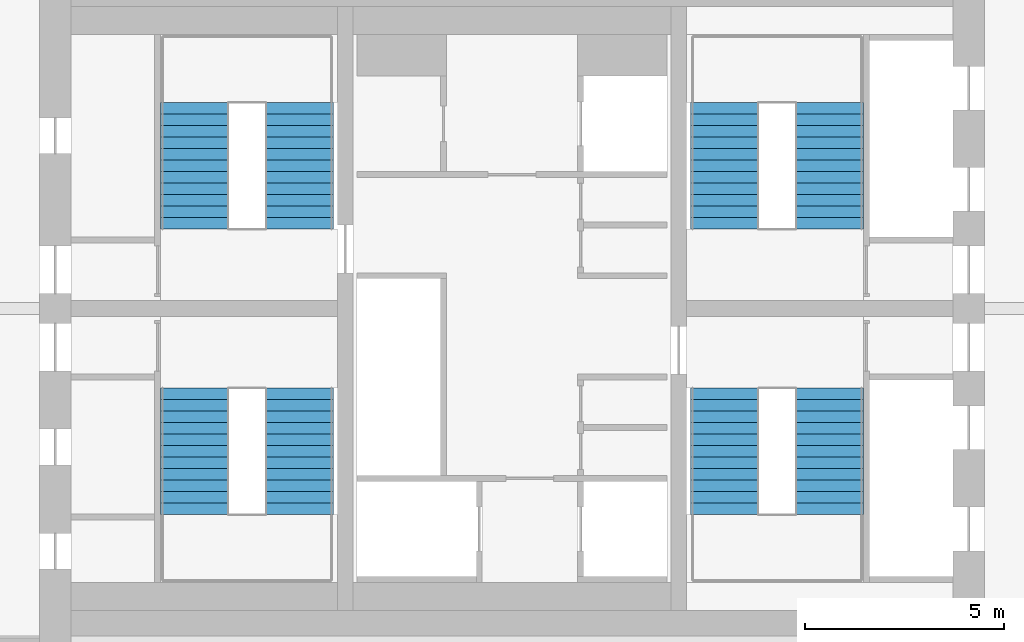
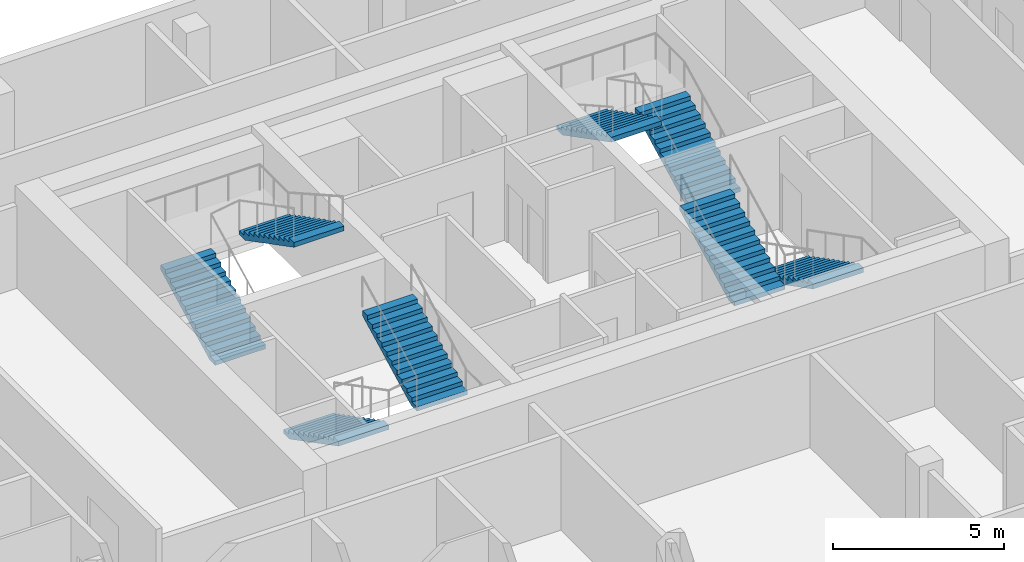
# One storey, part 21 of 22: 8 stair flights, 4 elements without a shape of their own.
"""IFC4 building model written with IfcOpenShell, lengths in metres."""

from ifc_helpers import new_model, si_unit, direction, frame, origin, place, context, subcontext, project, spatial, polyline, outline, extrude, material, type_object, element, aggregate, save


model = new_model("IFC4")

# Units and contexts
model_context = context("Model", 3, precision=1e-05, world=origin(), true_north=direction((0.0, 1.0)))
body_context = subcontext(model_context, "Body", "Model", "MODEL_VIEW")
ifc_project = project(units=[si_unit("LENGTHUNIT", "METRE"), si_unit("AREAUNIT", "SQUARE_METRE"), si_unit("VOLUMEUNIT", "CUBIC_METRE"), si_unit("PLANEANGLEUNIT", "RADIAN"), si_unit("MASSUNIT", "GRAM", prefix="KILO")], contexts=[model_context])

# Site, building, storey
site_placement = place(None, origin())
site = spatial("IfcSite", under=ifc_project, at=site_placement, CompositionType="ELEMENT")
building_placement = place(site_placement, origin())
building = spatial("IfcBuilding", under=site, at=building_placement, Name="Marenta Gate Hotel Tower", CompositionType="ELEMENT")
storey_placement = place(building_placement, frame((0.0, 0.0, 238.10009765625)))
storey = spatial("IfcBuildingStorey", under=building, at=storey_placement, Name="L56", CompositionType="ELEMENT", Elevation=238.10009765625)

# Stair, stair flights
ifc_material_1 = material(Name="Concrete C40", Category="concrete")
stair_type = type_object("IfcStairType", Name="Core exit stair 1700 wide", PredefinedType="HALF_TURN_STAIR", material=ifc_material_1)
stair_1_placement = place(storey_placement, origin())
stair_1 = element("IfcStair", 1, at=stair_1_placement, inside=storey, type_object=stair_type, Name="Exit stair 1", PredefinedType="HALF_TURN_STAIR")
ifc_material_2 = material(Name="Concrete C40", Category="concrete")
stair_flight_type = type_object("IfcStairFlightType", Name="Core stair flight 1700 riser 150.0 going 290", PredefinedType="STRAIGHT", material=ifc_material_2)
stair_flight_1_placement = place(storey_placement, frame((-8.0, 6.39990234375, 0.0), z_axis=(0.0, 0.0, 1.0), x_axis=(0.0, -1.0, 0.0)))
stair_flight_1 = element("IfcStairFlight", 2, at=stair_flight_1_placement, type_object=stair_flight_type, Name="ST1 flight 1", NumberOfRisers=12, NumberOfTreads=11, PredefinedType="STRAIGHT", RiserHeight=0.15, TreadLength=0.29, context=body_context, shape_type="SweptSolid", body=[
    extrude(outline(polyline([(0.0, 0.0), (0.0, 0.14990234375), (0.2900390625, 0.14990234375), (0.2900390625, 0.300048828125), (0.580078125, 0.300048828125), (0.580078125, 0.449951171875), (0.8701171875, 0.449951171875), (0.8701171875, 0.60009765625), (1.159912109375, 0.60009765625), (1.159912109375, 0.75), (1.449951171875, 0.75), (1.449951171875, 0.89990234375), (1.739990234375, 0.89990234375), (1.739990234375, 1.050048828125), (2.030029296875, 1.050048828125), (2.030029296875, 1.199951171875), (2.320068359375, 1.199951171875), (2.320068359375, 1.35009765625), (2.610107421875, 1.35009765625), (2.610107421875, 1.5), (2.89990234375, 1.5), (2.89990234375, 1.64990234375), (3.18994140625, 1.64990234375), (3.18994140625, 1.800048828125), (3.18994140625, 1.481201171875), (0.326171875, 0.0), (0.0, 0.0)])), frame((0.0, 0.85009765625, 0.0), z_axis=(0.0, -1.0, 0.0), x_axis=(1.0, 0.0, 0.0)), (0.0, 0.0, 1.0), 1.699951171875),
])
stair_flight_2_placement = place(storey_placement, frame((-5.35009765625, 3.2099609375, 1.7998046875), z_axis=(0.0, 0.0, 1.0), x_axis=(0.0, 1.0, 0.0)))
stair_flight_2 = element("IfcStairFlight", 3, at=stair_flight_2_placement, type_object=stair_flight_type, Name="ST1 flight 2", NumberOfRisers=12, NumberOfTreads=11, PredefinedType="STRAIGHT", RiserHeight=0.15, TreadLength=0.29, context=body_context, shape_type="SweptSolid", body=[
    extrude(outline(polyline([(0.0, 0.0), (0.0, 0.14990234375), (0.2900390625, 0.14990234375), (0.2900390625, 0.300048828125), (0.580078125, 0.300048828125), (0.580078125, 0.449951171875), (0.8701171875, 0.449951171875), (0.8701171875, 0.60009765625), (1.159912109375, 0.60009765625), (1.159912109375, 0.75), (1.449951171875, 0.75), (1.449951171875, 0.89990234375), (1.739990234375, 0.89990234375), (1.739990234375, 1.050048828125), (2.030029296875, 1.050048828125), (2.030029296875, 1.199951171875), (2.320068359375, 1.199951171875), (2.320068359375, 1.35009765625), (2.610107421875, 1.35009765625), (2.610107421875, 1.5), (2.89990234375, 1.5), (2.89990234375, 1.64990234375), (3.18994140625, 1.64990234375), (3.18994140625, 1.800048828125), (3.18994140625, 1.481201171875), (0.326171875, 0.0), (0.0, 0.0)])), frame((0.0, 0.85009765625, 0.0), z_axis=(0.0, -1.0, 0.0), x_axis=(1.0, 0.0, 0.0)), (0.0, 0.0, 1.0), 1.699951171875),
])
aggregate(stair_1, [stair_flight_1, stair_flight_2])

stair_2_placement = place(storey_placement, origin())
stair_2 = element("IfcStair", 4, at=stair_2_placement, inside=storey, type_object=stair_type, Name="Exit stair 2", PredefinedType="HALF_TURN_STAIR")
stair_flight_3_placement = place(storey_placement, frame((-8.0, 10.39990234375, 0.0), z_axis=(0.0, 0.0, 1.0), x_axis=(0.0, 1.0, 0.0)))
stair_flight_3 = element("IfcStairFlight", 5, at=stair_flight_3_placement, type_object=stair_flight_type, Name="ST2 flight 1", NumberOfRisers=12, NumberOfTreads=11, PredefinedType="STRAIGHT", RiserHeight=0.15, TreadLength=0.29, context=body_context, shape_type="SweptSolid", body=[
    extrude(outline(polyline([(0.0, 0.0), (0.0, 0.14990234375), (0.2900390625, 0.14990234375), (0.2900390625, 0.300048828125), (0.580078125, 0.300048828125), (0.580078125, 0.449951171875), (0.8701171875, 0.449951171875), (0.8701171875, 0.60009765625), (1.159912109375, 0.60009765625), (1.159912109375, 0.75), (1.449951171875, 0.75), (1.449951171875, 0.89990234375), (1.739990234375, 0.89990234375), (1.739990234375, 1.050048828125), (2.030029296875, 1.050048828125), (2.030029296875, 1.199951171875), (2.320068359375, 1.199951171875), (2.320068359375, 1.35009765625), (2.610107421875, 1.35009765625), (2.610107421875, 1.5), (2.89990234375, 1.5), (2.89990234375, 1.64990234375), (3.18994140625, 1.64990234375), (3.18994140625, 1.800048828125), (3.18994140625, 1.481201171875), (0.326171875, 0.0), (0.0, 0.0)])), frame((0.0, 0.85009765625, 0.0), z_axis=(0.0, -1.0, 0.0), x_axis=(1.0, 0.0, 0.0)), (0.0, 0.0, 1.0), 1.699951171875),
])
stair_flight_4_placement = place(storey_placement, frame((-5.35009765625, 13.590087890625, 1.7998046875), z_axis=(0.0, 0.0, 1.0), x_axis=(0.0, -1.0, 0.0)))
stair_flight_4 = element("IfcStairFlight", 6, at=stair_flight_4_placement, type_object=stair_flight_type, Name="ST2 flight 2", NumberOfRisers=12, NumberOfTreads=11, PredefinedType="STRAIGHT", RiserHeight=0.15, TreadLength=0.29, context=body_context, shape_type="SweptSolid", body=[
    extrude(outline(polyline([(0.0, 0.0), (0.0, 0.14990234375), (0.2900390625, 0.14990234375), (0.2900390625, 0.300048828125), (0.580078125, 0.300048828125), (0.580078125, 0.449951171875), (0.8701171875, 0.449951171875), (0.8701171875, 0.60009765625), (1.159912109375, 0.60009765625), (1.159912109375, 0.75), (1.449951171875, 0.75), (1.449951171875, 0.89990234375), (1.739990234375, 0.89990234375), (1.739990234375, 1.050048828125), (2.030029296875, 1.050048828125), (2.030029296875, 1.199951171875), (2.320068359375, 1.199951171875), (2.320068359375, 1.35009765625), (2.610107421875, 1.35009765625), (2.610107421875, 1.5), (2.89990234375, 1.5), (2.89990234375, 1.64990234375), (3.18994140625, 1.64990234375), (3.18994140625, 1.800048828125), (3.18994140625, 1.481201171875), (0.326171875, 0.0), (0.0, 0.0)])), frame((0.0, 0.85009765625, 0.0), z_axis=(0.0, -1.0, 0.0), x_axis=(1.0, 0.0, 0.0)), (0.0, 0.0, 1.0), 1.699951171875),
])
aggregate(stair_2, [stair_flight_3, stair_flight_4])

stair_3_placement = place(storey_placement, origin())
stair_3 = element("IfcStair", 7, at=stair_3_placement, inside=storey, type_object=stair_type, Name="Exit stair 3", PredefinedType="HALF_TURN_STAIR")
stair_flight_5_placement = place(storey_placement, frame((8.0, 6.39990234375, 0.0), z_axis=(0.0, 0.0, 1.0), x_axis=(0.0, -1.0, 0.0)))
stair_flight_5 = element("IfcStairFlight", 8, at=stair_flight_5_placement, type_object=stair_flight_type, Name="ST3 flight 1", NumberOfRisers=12, NumberOfTreads=11, PredefinedType="STRAIGHT", RiserHeight=0.15, TreadLength=0.29, context=body_context, shape_type="SweptSolid", body=[
    extrude(outline(polyline([(0.0, 0.0), (0.0, 0.14990234375), (0.2900390625, 0.14990234375), (0.2900390625, 0.300048828125), (0.580078125, 0.300048828125), (0.580078125, 0.449951171875), (0.8701171875, 0.449951171875), (0.8701171875, 0.60009765625), (1.159912109375, 0.60009765625), (1.159912109375, 0.75), (1.449951171875, 0.75), (1.449951171875, 0.89990234375), (1.739990234375, 0.89990234375), (1.739990234375, 1.050048828125), (2.030029296875, 1.050048828125), (2.030029296875, 1.199951171875), (2.320068359375, 1.199951171875), (2.320068359375, 1.35009765625), (2.610107421875, 1.35009765625), (2.610107421875, 1.5), (2.89990234375, 1.5), (2.89990234375, 1.64990234375), (3.18994140625, 1.64990234375), (3.18994140625, 1.800048828125), (3.18994140625, 1.481201171875), (0.326171875, 0.0), (0.0, 0.0)])), frame((0.0, 0.85009765625, 0.0), z_axis=(0.0, -1.0, 0.0), x_axis=(1.0, 0.0, 0.0)), (0.0, 0.0, 1.0), 1.699951171875),
])
stair_flight_6_placement = place(storey_placement, frame((5.35009765625, 3.2099609375, 1.7998046875), z_axis=(0.0, 0.0, 1.0), x_axis=(0.0, 1.0, 0.0)))
stair_flight_6 = element("IfcStairFlight", 9, at=stair_flight_6_placement, type_object=stair_flight_type, Name="ST3 flight 2", NumberOfRisers=12, NumberOfTreads=11, PredefinedType="STRAIGHT", RiserHeight=0.15, TreadLength=0.29, context=body_context, shape_type="SweptSolid", body=[
    extrude(outline(polyline([(0.0, 0.0), (0.0, 0.14990234375), (0.2900390625, 0.14990234375), (0.2900390625, 0.300048828125), (0.580078125, 0.300048828125), (0.580078125, 0.449951171875), (0.8701171875, 0.449951171875), (0.8701171875, 0.60009765625), (1.159912109375, 0.60009765625), (1.159912109375, 0.75), (1.449951171875, 0.75), (1.449951171875, 0.89990234375), (1.739990234375, 0.89990234375), (1.739990234375, 1.050048828125), (2.030029296875, 1.050048828125), (2.030029296875, 1.199951171875), (2.320068359375, 1.199951171875), (2.320068359375, 1.35009765625), (2.610107421875, 1.35009765625), (2.610107421875, 1.5), (2.89990234375, 1.5), (2.89990234375, 1.64990234375), (3.18994140625, 1.64990234375), (3.18994140625, 1.800048828125), (3.18994140625, 1.481201171875), (0.326171875, 0.0), (0.0, 0.0)])), frame((0.0, 0.85009765625, 0.0), z_axis=(0.0, -1.0, 0.0), x_axis=(1.0, 0.0, 0.0)), (0.0, 0.0, 1.0), 1.699951171875),
])
aggregate(stair_3, [stair_flight_5, stair_flight_6])

stair_4_placement = place(storey_placement, origin())
stair_4 = element("IfcStair", 10, at=stair_4_placement, inside=storey, type_object=stair_type, Name="Exit stair 4", PredefinedType="HALF_TURN_STAIR")
stair_flight_7_placement = place(storey_placement, frame((8.0, 10.39990234375, 0.0), z_axis=(0.0, 0.0, 1.0), x_axis=(0.0, 1.0, 0.0)))
stair_flight_7 = element("IfcStairFlight", 11, at=stair_flight_7_placement, type_object=stair_flight_type, Name="ST4 flight 1", NumberOfRisers=12, NumberOfTreads=11, PredefinedType="STRAIGHT", RiserHeight=0.15, TreadLength=0.29, context=body_context, shape_type="SweptSolid", body=[
    extrude(outline(polyline([(0.0, 0.0), (0.0, 0.14990234375), (0.2900390625, 0.14990234375), (0.2900390625, 0.300048828125), (0.580078125, 0.300048828125), (0.580078125, 0.449951171875), (0.8701171875, 0.449951171875), (0.8701171875, 0.60009765625), (1.159912109375, 0.60009765625), (1.159912109375, 0.75), (1.449951171875, 0.75), (1.449951171875, 0.89990234375), (1.739990234375, 0.89990234375), (1.739990234375, 1.050048828125), (2.030029296875, 1.050048828125), (2.030029296875, 1.199951171875), (2.320068359375, 1.199951171875), (2.320068359375, 1.35009765625), (2.610107421875, 1.35009765625), (2.610107421875, 1.5), (2.89990234375, 1.5), (2.89990234375, 1.64990234375), (3.18994140625, 1.64990234375), (3.18994140625, 1.800048828125), (3.18994140625, 1.481201171875), (0.326171875, 0.0), (0.0, 0.0)])), frame((0.0, 0.85009765625, 0.0), z_axis=(0.0, -1.0, 0.0), x_axis=(1.0, 0.0, 0.0)), (0.0, 0.0, 1.0), 1.699951171875),
])
stair_flight_8_placement = place(storey_placement, frame((5.35009765625, 13.590087890625, 1.7998046875), z_axis=(0.0, 0.0, 1.0), x_axis=(0.0, -1.0, 0.0)))
stair_flight_8 = element("IfcStairFlight", 12, at=stair_flight_8_placement, type_object=stair_flight_type, Name="ST4 flight 2", NumberOfRisers=12, NumberOfTreads=11, PredefinedType="STRAIGHT", RiserHeight=0.15, TreadLength=0.29, context=body_context, shape_type="SweptSolid", body=[
    extrude(outline(polyline([(0.0, 0.0), (0.0, 0.14990234375), (0.2900390625, 0.14990234375), (0.2900390625, 0.300048828125), (0.580078125, 0.300048828125), (0.580078125, 0.449951171875), (0.8701171875, 0.449951171875), (0.8701171875, 0.60009765625), (1.159912109375, 0.60009765625), (1.159912109375, 0.75), (1.449951171875, 0.75), (1.449951171875, 0.89990234375), (1.739990234375, 0.89990234375), (1.739990234375, 1.050048828125), (2.030029296875, 1.050048828125), (2.030029296875, 1.199951171875), (2.320068359375, 1.199951171875), (2.320068359375, 1.35009765625), (2.610107421875, 1.35009765625), (2.610107421875, 1.5), (2.89990234375, 1.5), (2.89990234375, 1.64990234375), (3.18994140625, 1.64990234375), (3.18994140625, 1.800048828125), (3.18994140625, 1.481201171875), (0.326171875, 0.0), (0.0, 0.0)])), frame((0.0, 0.85009765625, 0.0), z_axis=(0.0, -1.0, 0.0), x_axis=(1.0, 0.0, 0.0)), (0.0, 0.0, 1.0), 1.699951171875),
])
aggregate(stair_4, [stair_flight_7, stair_flight_8])

save(model, "model.ifc")
